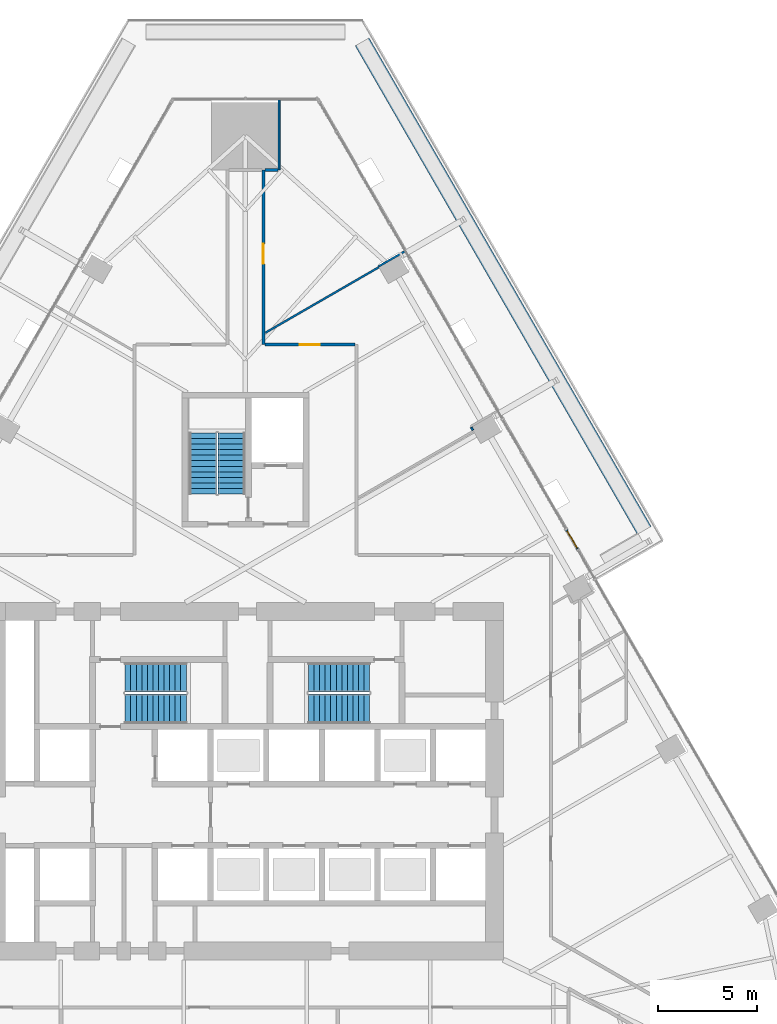
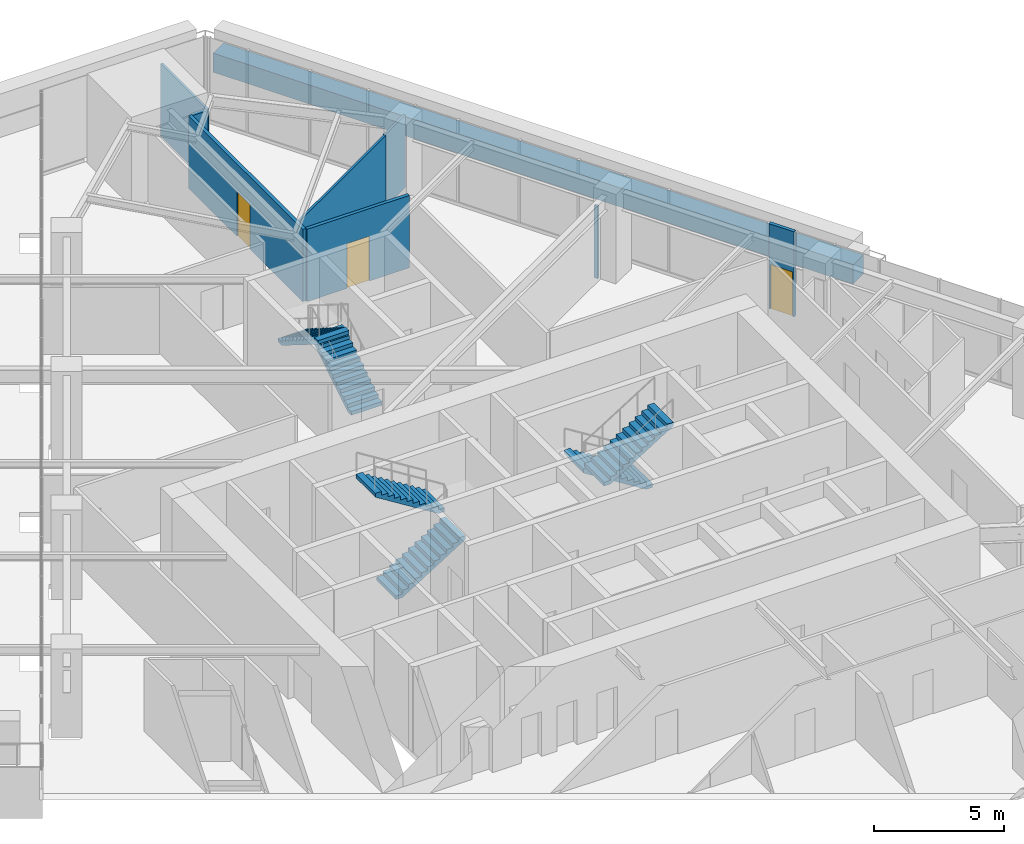
# One storey, part 22 of 26: 9 walls, 6 stair flights, 3 doors, 3 openings, 4 elements without a shape of their own.
"""IFC4 building model written with IfcOpenShell, lengths in metres."""

from ifc_helpers import new_model, si_unit, direction, frame, frame_2d, origin, place, context, subcontext, project, spatial, polyline, rectangle, outline, extrude, material, layer, layer_set, type_object, element, fill, aggregate, save


model = new_model("IFC4")

# Units and contexts
model_context = context("Model", 3, precision=1e-05, world=origin(), true_north=direction((0.0, 1.0)))
body_context = subcontext(model_context, "Body", "Model", "MODEL_VIEW")
ifc_project = project(units=[si_unit("LENGTHUNIT", "METRE"), si_unit("AREAUNIT", "SQUARE_METRE"), si_unit("VOLUMEUNIT", "CUBIC_METRE"), si_unit("PLANEANGLEUNIT", "RADIAN"), si_unit("MASSUNIT", "GRAM", prefix="KILO")], contexts=[model_context])

# Site, building, storey
site_placement = place(None, origin())
site = spatial("IfcSite", under=ifc_project, at=site_placement, CompositionType="ELEMENT")
building_placement = place(site_placement, origin())
building = spatial("IfcBuilding", under=site, at=building_placement, Name="Firuza Gate Tower and Library", CompositionType="ELEMENT")
storey_placement = place(building_placement, frame((0.0, 0.0, 115.60009765625)))
storey = spatial("IfcBuildingStorey", under=building, at=storey_placement, Name="L26", CompositionType="ELEMENT", Elevation=115.60009765625)

# Wall, opening, door
ifc_material_1 = material(Name="Gypsum board partition")
ifc_layer_1 = layer(ifc_material_1, 0.14990234375)
ifc_layer_set_1 = layer_set([ifc_layer_1], Name="Corridor wall 150 double board on steel studs")
wall_type_1 = type_object("IfcWallType", Name="Corridor wall 150 double board on steel studs", PredefinedType="PARTITIONING", material=ifc_layer_set_1)
wall_1_placement = place(storey_placement, frame((80.5244140625, 97.0, 0.0), z_axis=(0.0, 0.0, 1.0), x_axis=(-1.0, 0.0, 0.0)))
wall_1 = element("IfcWall", 1, at=wall_1_placement, inside=storey, type_object=wall_type_1, Name="f:L26:w008", PredefinedType="PARTITIONING", context=body_context, shape_type="SweptSolid", body=[
    extrude(rectangle(XDim=4.54931640625, YDim=0.14990234375, at=frame_2d((2.274658203125, 0.0))), origin(), (0.0, 0.0, 1.0), 3.39990234375),
])
opening_1_placement = place(wall_1_placement, frame((1.774658203125, 0.0, 0.0)))
opening_1 = element("IfcOpeningElement", 2, at=opening_1_placement, cuts=wall_1, Name="Opening L26-14", PredefinedType="OPENING", context=body_context, shape_type="SweptSolid", body=[
    extrude(rectangle(XDim=1.0, YDim=2.10009765625, at=frame_2d((0.5, 1.050048828125))), frame((0.0, 0.0849609375, 0.0), z_axis=(0.0, -1.0, 0.0), x_axis=(1.0, 0.0, 0.0)), (0.0, 0.0, 1.0), 0.169921875),
])
ifc_material_2 = material(Name="Steel door and timber leaf", Category="steel")
door_type_1 = type_object("IfcDoorType", Name="Fire door 1000 x 2100 steel frame, timber leaf", OperationType="NOTDEFINED", PredefinedType="DOOR", material=ifc_material_2)
door_1_placement = place(opening_1_placement, origin())
door_1 = element("IfcDoor", 3, at=door_1_placement, inside=storey, type_object=door_type_1, Name="f:L26:d014", OperationType="SINGLE_SWING_RIGHT", OverallHeight=2.10009765625, OverallWidth=1.0, PredefinedType="DOOR", context=body_context, shape_type="SweptSolid", body=[
    extrude(rectangle(XDim=1.0, YDim=2.10009765625, at=frame_2d((0.5, 1.050048828125))), frame((0.0, 0.02490234375, 0.0), z_axis=(0.0, -1.0, 0.0), x_axis=(1.0, 0.0, 0.0)), (0.0, 0.0, 1.0), 0.050048828125),
])
fill(opening_1, door_1)

wall_2_placement = place(storey_placement, frame((75.89990234375, 105.81201171875, 0.0), z_axis=(0.0, 0.0, 1.0), x_axis=(0.0, -1.0, 0.0)))
wall_2 = element("IfcWall", 4, at=wall_2_placement, inside=storey, type_object=wall_type_1, Name="f:L26:w034", PredefinedType="PARTITIONING", context=body_context, shape_type="SweptSolid", body=[
    extrude(rectangle(XDim=8.81201171875, YDim=0.14990234375, at=frame_2d((4.406005859375, 0.0))), origin(), (0.0, 0.0, 1.0), 3.39990234375),
])
opening_2_placement = place(wall_2_placement, frame((3.737548828125, 0.0, 0.0)))
opening_2 = element("IfcOpeningElement", 5, at=opening_2_placement, cuts=wall_2, Name="Opening L26-24", PredefinedType="OPENING", context=body_context, shape_type="SweptSolid", body=[
    extrude(rectangle(XDim=1.0, YDim=2.10009765625, at=frame_2d((0.5, 1.050048828125))), frame((0.0, 0.0849609375, 0.0), z_axis=(0.0, -1.0, 0.0), x_axis=(1.0, 0.0, 0.0)), (0.0, 0.0, 1.0), 0.169921875),
])
door_2_placement = place(opening_2_placement, origin())
door_2 = element("IfcDoor", 6, at=door_2_placement, inside=storey, type_object=door_type_1, Name="f:L26:d024", OperationType="SINGLE_SWING_LEFT", OverallHeight=2.10009765625, OverallWidth=1.0, PredefinedType="DOOR", context=body_context, shape_type="SweptSolid", body=[
    extrude(rectangle(XDim=1.0, YDim=2.10009765625, at=frame_2d((0.5, 1.050048828125))), frame((0.0, 0.02490234375, 0.0), z_axis=(0.0, -1.0, 0.0), x_axis=(1.0, 0.0, 0.0)), (0.0, 0.0, 1.0), 0.050048828125),
])
fill(opening_2, door_2)

# Walls
wall_3_placement = place(storey_placement, frame((75.97509765625, 105.81201171875, 0.0), z_axis=(0.0, 0.0, 1.0), x_axis=(1.0, 0.0, 0.0)))
element("IfcWall", 7, at=wall_3_placement, inside=storey, type_object=wall_type_1, Name="f:L26:w062", PredefinedType="PARTITIONING", context=body_context, shape_type="SweptSolid", body=[
    extrude(rectangle(XDim=0.67431640625, YDim=0.14990234375, at=frame_2d((0.337158203125, 0.0))), origin(), (0.0, 0.0, 1.0), 3.39990234375),
])
ifc_material_3 = material(Name="Gypsum board partition")
ifc_layer_2 = layer(ifc_material_3, 0.10009765625)
ifc_layer_set_2 = layer_set([ifc_layer_2], Name="Partition 100 gypsum board on steel studs")
wall_type_2 = type_object("IfcWallType", Name="Partition 100 gypsum board on steel studs", PredefinedType="PARTITIONING", material=ifc_layer_set_2)
wall_4_placement = place(storey_placement, frame((76.0009765625, 97.59814453125, 0.0), z_axis=(0.0, 0.0, 1.0), x_axis=(0.866017611601, 0.500013496215, 0.0)))
element("IfcWall", 8, at=wall_4_placement, inside=storey, type_object=wall_type_2, Name="f:L26:w023", PredefinedType="PARTITIONING", context=body_context, shape_type="SweptSolid", body=[
    extrude(rectangle(XDim=6.607666015625, YDim=0.10009765625, at=frame_2d((3.3037109375, 0.0))), origin(), (0.0, 0.0, 1.0), 3.39990234375),
])
wall_5_placement = place(storey_placement, frame((81.70361328125, 100.936767578125, 0.0), z_axis=(0.0, 0.0, 1.0), x_axis=(0.865990094875, 0.500061151839, 0.0)))
element("IfcWall", 9, at=wall_5_placement, inside=storey, type_object=wall_type_2, Name="f:L26:w024", PredefinedType="PARTITIONING", context=body_context, shape_type="SweptSolid", body=[
    extrude(rectangle(XDim=1.559814453125, YDim=0.10009765625, at=frame_2d((0.77978515625, 0.0))), origin(), (0.0, 0.0, 1.0), 3.39990234375),
])
wall_6_placement = place(storey_placement, frame((76.699951171875, 105.812744140625, 0.0), z_axis=(0.0, 0.0, 1.0), x_axis=(0.0, 1.0, 0.0)))
element("IfcWall", 10, at=wall_6_placement, inside=storey, type_object=wall_type_2, Name="f:L26:w033", PredefinedType="PARTITIONING", context=body_context, shape_type="SweptSolid", body=[
    extrude(rectangle(XDim=3.559326171875, YDim=0.10009765625, at=frame_2d((1.77978515625, 0.0))), origin(), (0.0, 0.0, 1.0), 3.39990234375),
])
wall_7_placement = place(storey_placement, frame((86.46630859375, 92.68798828125, 0.0), z_axis=(0.0, 0.0, 1.0), x_axis=(-0.500013496215, 0.866017611601, 0.0)))
element("IfcWall", 11, at=wall_7_placement, inside=storey, type_object=wall_type_2, Name="f:L26:w049", PredefinedType="PARTITIONING", context=body_context, shape_type="SweptSolid", body=[
    extrude(rectangle(XDim=0.16943359375, YDim=0.10009765625, at=frame_2d((0.084716796875, 0.0))), origin(), (0.0, 0.0, 1.0), 3.39990234375),
])
ifc_material_4 = material(Name="Concrete C40/50", Category="concrete")
ifc_layer_3 = layer(ifc_material_4, 0.800048828125)
ifc_layer_set_3 = layer_set([ifc_layer_3], Name="Planter wall 800")
wall_type_3 = type_object("IfcWallType", Name="Planter wall 800", PredefinedType="SOLIDWALL", material=ifc_layer_set_3)
wall_8_placement = place(storey_placement, frame((95.095458984375, 87.641357421875, 0.0), z_axis=(0.0, 0.0, 1.0), x_axis=(-0.500002252739, 0.866024103161, 0.0)))
element("IfcWall", 12, at=wall_8_placement, inside=storey, type_object=wall_type_3, Name="PLANTER L26 2", PredefinedType="SOLIDWALL", context=body_context, shape_type="SweptSolid", body=[
    extrude(rectangle(XDim=28.424560546875, YDim=0.800048828125, at=frame_2d((14.21240234375, 0.0))), origin(), (0.0, 0.0, 1.0), 0.89990234375),
])

# Curtain wall, wall, opening, door
ifc_material_5 = material(Name="Aluminium 6063-T6", Category="aluminium")
ifc_layer_4 = layer(ifc_material_5, 0.14990234375)
ifc_layer_set_4 = layer_set([ifc_layer_4], Name="Unitised curtain wall, offices")
curtain_wall_type = type_object("IfcCurtainWallType", Name="Unitised curtain wall, offices", PredefinedType="NOTDEFINED", material=ifc_layer_set_4)
placement = place(storey_placement, origin())
curtain_wall = element("IfcCurtainWall", 13, at=placement, inside=storey, type_object=curtain_wall_type, Name="CW1 L26 E face", PredefinedType="NOTDEFINED")
ifc_material_6 = material(Name="Aluminium 6063-T6", Category="aluminium")
ifc_layer_5 = layer(ifc_material_6, 0.14990234375)
ifc_layer_set_5 = layer_set([ifc_layer_5], Name="Terrace door wall 150")
wall_type_4 = type_object("IfcWallType", Name="Terrace door wall 150", PredefinedType="SOLIDWALL", material=ifc_layer_set_5)
wall_9_placement = place(storey_placement, frame((91.742431640625, 86.698486328125, 0.0), z_axis=(0.0, 0.0, 1.0), x_axis=(-0.499867132655, 0.866102101193, 0.0)))
wall_9 = element("IfcWall", 14, at=wall_9_placement, type_object=wall_type_4, Name="Terrace door wall", PredefinedType="SOLIDWALL", context=body_context, shape_type="SweptSolid", body=[
    extrude(rectangle(XDim=1.119873046875, YDim=0.14990234375, at=frame_2d((0.56005859375, 0.0))), origin(), (0.0, 0.0, 1.0), 4.0),
])
opening_3_placement = place(wall_9_placement, frame((0.06005859375, 0.0, 0.0)))
opening_3 = element("IfcOpeningElement", 15, at=opening_3_placement, cuts=wall_9, Name="Opening DR6", PredefinedType="OPENING", context=body_context, shape_type="SweptSolid", body=[
    extrude(rectangle(XDim=1.0, YDim=2.10009765625, at=frame_2d((0.5, 1.050048828125))), frame((0.0, 0.0849609375, 0.0), z_axis=(0.0, -1.0, 0.0), x_axis=(1.0, 0.0, 0.0)), (0.0, 0.0, 1.0), 0.169921875),
])
ifc_material_7 = material(Name="Aluminium 6063-T6 and glass", Category="aluminium")
door_type_2 = type_object("IfcDoorType", Name="Terrace door 1000x2100", OperationType="NOTDEFINED", PredefinedType="DOOR", material=ifc_material_7)
door_3_placement = place(opening_3_placement, origin())
door_3 = element("IfcDoor", 16, at=door_3_placement, inside=storey, type_object=door_type_2, Name="Terrace door", OperationType="SINGLE_SWING_LEFT", OverallHeight=2.10009765625, OverallWidth=1.0, PredefinedType="DOOR", context=body_context, shape_type="SweptSolid", body=[
    extrude(rectangle(XDim=1.0, YDim=2.10009765625, at=frame_2d((0.5, 1.050048828125))), frame((0.0, 0.02490234375, 0.0), z_axis=(0.0, -1.0, 0.0), x_axis=(1.0, 0.0, 0.0)), (0.0, 0.0, 1.0), 0.050048828125),
])
fill(opening_3, door_3)
aggregate(curtain_wall, [wall_9])

# Stair, stair flights
ifc_material_8 = material(Name="Concrete C35/45", Category="concrete")
stair_type_1 = type_object("IfcStairType", Name="Exit stair ST14", PredefinedType="HALF_TURN_STAIR", material=ifc_material_8)
stair_1 = element("IfcStair", 17, at=placement, inside=storey, type_object=stair_type_1, Name="L26 Stair ST3", PredefinedType="HALF_TURN_STAIR")
ifc_material_9 = material(Name="Concrete C35/45", Category="concrete")
stair_flight_type_1 = type_object("IfcStairFlightType", Name="Stair flight 12 risers 175 width 1370", PredefinedType="STRAIGHT", material=ifc_material_9)
stair_flight_1_placement = place(storey_placement, frame((74.31494140625, 89.469970703125, 0.0), z_axis=(0.0, 0.0, 1.0), x_axis=(0.0, 1.0, 0.0)))
stair_flight_1 = element("IfcStairFlight", 18, at=stair_flight_1_placement, type_object=stair_flight_type_1, Name="ST3 flight 1", NumberOfRisers=12, NumberOfTreads=11, PredefinedType="STRAIGHT", RiserHeight=0.175, TreadLength=0.28, context=body_context, shape_type="SweptSolid", body=[
    extrude(outline(polyline([(0.0, 0.0), (0.0, 0.175048828125), (0.280029296875, 0.175048828125), (0.280029296875, 0.35009765625), (0.56005859375, 0.35009765625), (0.56005859375, 0.52490234375), (0.840087890625, 0.52490234375), (0.840087890625, 0.699951171875), (1.1201171875, 0.699951171875), (1.1201171875, 0.875), (1.39990234375, 0.875), (1.39990234375, 1.050048828125), (1.679931640625, 1.050048828125), (1.679931640625, 1.22509765625), (1.9599609375, 1.22509765625), (1.9599609375, 1.39990234375), (2.239990234375, 1.39990234375), (2.239990234375, 1.574951171875), (2.52001953125, 1.574951171875), (2.52001953125, 1.75), (2.800048828125, 1.75), (2.800048828125, 1.925048828125), (3.080078125, 1.925048828125), (3.080078125, 2.10009765625), (3.080078125, 1.748291015625), (0.28271484375, 0.0), (0.0, 0.0)])), frame((0.0, 0.68505859375, 0.0), z_axis=(0.0, -1.0, 0.0), x_axis=(1.0, 0.0, 0.0)), (0.0, 0.0, 1.0), 1.3701171875),
])
stair_flight_2_placement = place(storey_placement, frame((72.844970703125, 92.550048828125, 2.099853515625), z_axis=(0.0, 0.0, 1.0), x_axis=(0.0, -1.0, 0.0)))
stair_flight_2 = element("IfcStairFlight", 19, at=stair_flight_2_placement, type_object=stair_flight_type_1, Name="ST3 flight 2", NumberOfRisers=12, NumberOfTreads=11, PredefinedType="STRAIGHT", RiserHeight=0.175, TreadLength=0.28, context=body_context, shape_type="SweptSolid", body=[
    extrude(outline(polyline([(0.0, 0.0), (0.0, 0.175048828125), (0.280029296875, 0.175048828125), (0.280029296875, 0.35009765625), (0.56005859375, 0.35009765625), (0.56005859375, 0.52490234375), (0.840087890625, 0.52490234375), (0.840087890625, 0.699951171875), (1.1201171875, 0.699951171875), (1.1201171875, 0.875), (1.39990234375, 0.875), (1.39990234375, 1.050048828125), (1.679931640625, 1.050048828125), (1.679931640625, 1.22509765625), (1.9599609375, 1.22509765625), (1.9599609375, 1.39990234375), (2.239990234375, 1.39990234375), (2.239990234375, 1.574951171875), (2.52001953125, 1.574951171875), (2.52001953125, 1.75), (2.800048828125, 1.75), (2.800048828125, 1.925048828125), (3.080078125, 1.925048828125), (3.080078125, 2.10009765625), (3.080078125, 1.748291015625), (0.28271484375, 0.0), (0.0, 0.0)])), frame((0.0, 0.68505859375, 0.0), z_axis=(0.0, -1.0, 0.0), x_axis=(1.0, 0.0, 0.0)), (0.0, 0.0, 1.0), 1.3701171875),
])
aggregate(stair_1, [stair_flight_1, stair_flight_2])

ifc_material_10 = material(Name="Concrete C35/45", Category="concrete")
stair_type_2 = type_object("IfcStairType", Name="Exit stair ST5", PredefinedType="HALF_TURN_STAIR", material=ifc_material_10)
stair_2 = element("IfcStair", 20, at=placement, inside=storey, type_object=stair_type_2, Name="L26 Stair ST1", PredefinedType="HALF_TURN_STAIR")
ifc_material_11 = material(Name="Concrete C35/45", Category="concrete")
stair_flight_type_2 = type_object("IfcStairFlightType", Name="Stair flight 12 risers 175 width 1490", PredefinedType="STRAIGHT", material=ifc_material_11)
stair_flight_3_placement = place(storey_placement, frame((68.93994140625, 78.64501953125, 0.0), z_axis=(0.0, 0.0, 1.0), x_axis=(1.0, 0.0, 0.0)))
stair_flight_3 = element("IfcStairFlight", 21, at=stair_flight_3_placement, type_object=stair_flight_type_2, Name="ST1 flight 1", NumberOfRisers=12, NumberOfTreads=11, PredefinedType="STRAIGHT", RiserHeight=0.175, TreadLength=0.28, context=body_context, shape_type="SweptSolid", body=[
    extrude(outline(polyline([(0.0, 0.0), (0.0, 0.175048828125), (0.280029296875, 0.175048828125), (0.280029296875, 0.35009765625), (0.56005859375, 0.35009765625), (0.56005859375, 0.52490234375), (0.840087890625, 0.52490234375), (0.840087890625, 0.699951171875), (1.1201171875, 0.699951171875), (1.1201171875, 0.875), (1.39990234375, 0.875), (1.39990234375, 1.050048828125), (1.679931640625, 1.050048828125), (1.679931640625, 1.22509765625), (1.9599609375, 1.22509765625), (1.9599609375, 1.39990234375), (2.239990234375, 1.39990234375), (2.239990234375, 1.574951171875), (2.52001953125, 1.574951171875), (2.52001953125, 1.75), (2.800048828125, 1.75), (2.800048828125, 1.925048828125), (3.080078125, 1.925048828125), (3.080078125, 2.10009765625), (3.080078125, 1.748291015625), (0.28271484375, 0.0), (0.0, 0.0)])), frame((0.0, 0.7451171875, 0.0), z_axis=(0.0, -1.0, 0.0), x_axis=(1.0, 0.0, 0.0)), (0.0, 0.0, 1.0), 1.489990234375),
])
stair_flight_4_placement = place(storey_placement, frame((72.02001953125, 80.235107421875, 2.099853515625), z_axis=(0.0, 0.0, 1.0), x_axis=(-1.0, 0.0, 0.0)))
stair_flight_4 = element("IfcStairFlight", 22, at=stair_flight_4_placement, type_object=stair_flight_type_2, Name="ST1 flight 2", NumberOfRisers=12, NumberOfTreads=11, PredefinedType="STRAIGHT", RiserHeight=0.175, TreadLength=0.28, context=body_context, shape_type="SweptSolid", body=[
    extrude(outline(polyline([(0.0, 0.0), (0.0, 0.175048828125), (0.280029296875, 0.175048828125), (0.280029296875, 0.35009765625), (0.56005859375, 0.35009765625), (0.56005859375, 0.52490234375), (0.840087890625, 0.52490234375), (0.840087890625, 0.699951171875), (1.1201171875, 0.699951171875), (1.1201171875, 0.875), (1.39990234375, 0.875), (1.39990234375, 1.050048828125), (1.679931640625, 1.050048828125), (1.679931640625, 1.22509765625), (1.9599609375, 1.22509765625), (1.9599609375, 1.39990234375), (2.239990234375, 1.39990234375), (2.239990234375, 1.574951171875), (2.52001953125, 1.574951171875), (2.52001953125, 1.75), (2.800048828125, 1.75), (2.800048828125, 1.925048828125), (3.080078125, 1.925048828125), (3.080078125, 2.10009765625), (3.080078125, 1.748291015625), (0.28271484375, 0.0), (0.0, 0.0)])), frame((0.0, 0.7451171875, 0.0), z_axis=(0.0, -1.0, 0.0), x_axis=(1.0, 0.0, 0.0)), (0.0, 0.0, 1.0), 1.489990234375),
])
aggregate(stair_2, [stair_flight_3, stair_flight_4])

stair_3 = element("IfcStair", 23, at=placement, inside=storey, type_object=stair_type_2, Name="L26 Stair ST2", PredefinedType="HALF_TURN_STAIR")
stair_flight_5_placement = place(storey_placement, frame((81.260009765625, 80.235107421875, 0.0), z_axis=(0.0, 0.0, 1.0), x_axis=(-1.0, 0.0, 0.0)))
stair_flight_5 = element("IfcStairFlight", 24, at=stair_flight_5_placement, type_object=stair_flight_type_2, Name="ST2 flight 1", NumberOfRisers=12, NumberOfTreads=11, PredefinedType="STRAIGHT", RiserHeight=0.175, TreadLength=0.28, context=body_context, shape_type="SweptSolid", body=[
    extrude(outline(polyline([(0.0, 0.0), (0.0, 0.175048828125), (0.280029296875, 0.175048828125), (0.280029296875, 0.35009765625), (0.56005859375, 0.35009765625), (0.56005859375, 0.52490234375), (0.840087890625, 0.52490234375), (0.840087890625, 0.699951171875), (1.1201171875, 0.699951171875), (1.1201171875, 0.875), (1.39990234375, 0.875), (1.39990234375, 1.050048828125), (1.679931640625, 1.050048828125), (1.679931640625, 1.22509765625), (1.9599609375, 1.22509765625), (1.9599609375, 1.39990234375), (2.239990234375, 1.39990234375), (2.239990234375, 1.574951171875), (2.52001953125, 1.574951171875), (2.52001953125, 1.75), (2.800048828125, 1.75), (2.800048828125, 1.925048828125), (3.080078125, 1.925048828125), (3.080078125, 2.10009765625), (3.080078125, 1.748291015625), (0.28271484375, 0.0), (0.0, 0.0)])), frame((0.0, 0.7451171875, 0.0), z_axis=(0.0, -1.0, 0.0), x_axis=(1.0, 0.0, 0.0)), (0.0, 0.0, 1.0), 1.489990234375),
])
stair_flight_6_placement = place(storey_placement, frame((78.179931640625, 78.64501953125, 2.099853515625), z_axis=(0.0, 0.0, 1.0), x_axis=(1.0, 0.0, 0.0)))
stair_flight_6 = element("IfcStairFlight", 25, at=stair_flight_6_placement, type_object=stair_flight_type_2, Name="ST2 flight 2", NumberOfRisers=12, NumberOfTreads=11, PredefinedType="STRAIGHT", RiserHeight=0.175, TreadLength=0.28, context=body_context, shape_type="SweptSolid", body=[
    extrude(outline(polyline([(0.0, 0.0), (0.0, 0.175048828125), (0.280029296875, 0.175048828125), (0.280029296875, 0.35009765625), (0.56005859375, 0.35009765625), (0.56005859375, 0.52490234375), (0.840087890625, 0.52490234375), (0.840087890625, 0.699951171875), (1.1201171875, 0.699951171875), (1.1201171875, 0.875), (1.39990234375, 0.875), (1.39990234375, 1.050048828125), (1.679931640625, 1.050048828125), (1.679931640625, 1.22509765625), (1.9599609375, 1.22509765625), (1.9599609375, 1.39990234375), (2.239990234375, 1.39990234375), (2.239990234375, 1.574951171875), (2.52001953125, 1.574951171875), (2.52001953125, 1.75), (2.800048828125, 1.75), (2.800048828125, 1.925048828125), (3.080078125, 1.925048828125), (3.080078125, 2.10009765625), (3.080078125, 1.748291015625), (0.28271484375, 0.0), (0.0, 0.0)])), frame((0.0, 0.7451171875, 0.0), z_axis=(0.0, -1.0, 0.0), x_axis=(1.0, 0.0, 0.0)), (0.0, 0.0, 1.0), 1.489990234375),
])
aggregate(stair_3, [stair_flight_5, stair_flight_6])

save(model, "model.ifc")
